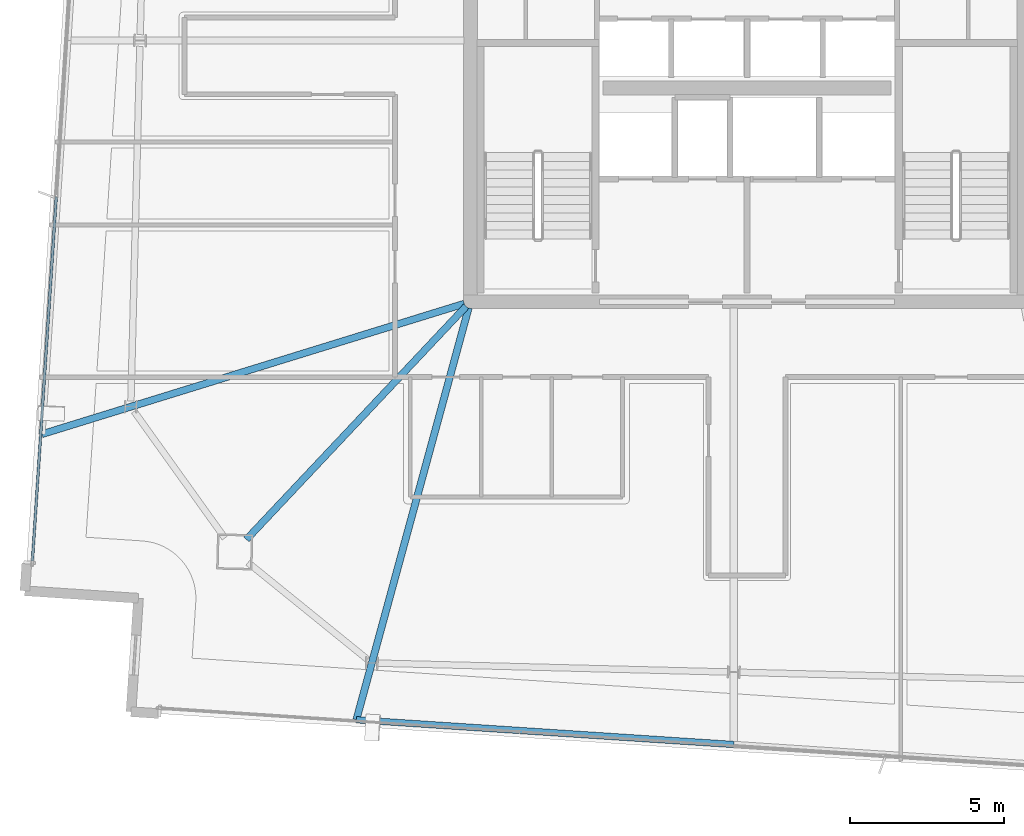
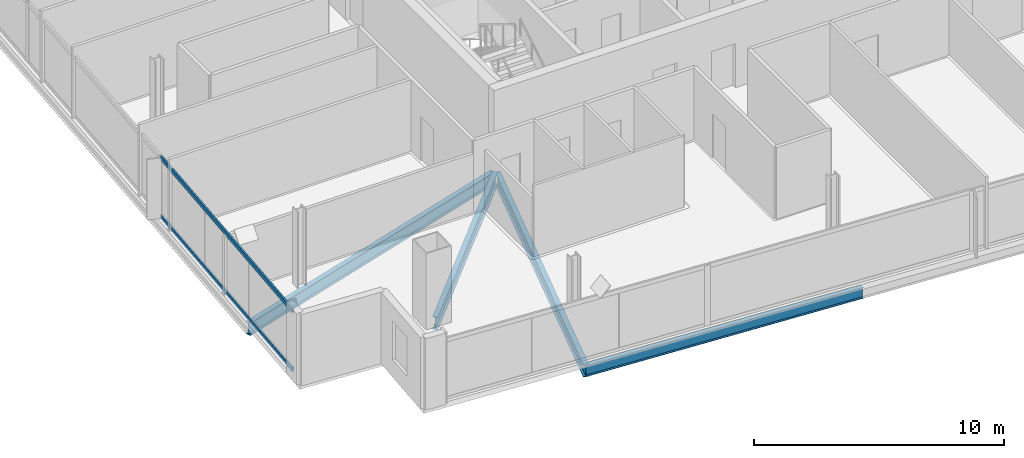
# One storey, part 3 of 24: 4 beams, 2 members, 1 element without a shape of its own.
"""IFC4 building model written with IfcOpenShell, lengths in metres."""

from ifc_helpers import new_model, si_unit, direction, frame, origin, origin_2d, place, context, subcontext, project, spatial, hollow_rectangle, i_section, extrude, material, material_profile, profile_set, type_object, element, aggregate, save


model = new_model("IFC4")

# Units and contexts
model_context = context("Model", 3, precision=1e-05, world=origin(), true_north=direction((0.0, 1.0)))
body_context = subcontext(model_context, "Body", "Model", "MODEL_VIEW")
ifc_project = project(units=[si_unit("LENGTHUNIT", "METRE"), si_unit("AREAUNIT", "SQUARE_METRE"), si_unit("VOLUMEUNIT", "CUBIC_METRE"), si_unit("PLANEANGLEUNIT", "RADIAN"), si_unit("MASSUNIT", "GRAM", prefix="KILO")], contexts=[model_context])

# Site, building, storey
site_placement = place(None, origin())
site = spatial("IfcSite", under=ifc_project, at=site_placement, CompositionType="ELEMENT")
building_placement = place(site_placement, origin())
building = spatial("IfcBuilding", under=site, at=building_placement, Name="Haldenkirk Collegiate Tower", CompositionType="ELEMENT")
storey_placement = place(building_placement, frame((0.0, 0.0, 317.699951171875)))
storey = spatial("IfcBuildingStorey", under=building, at=storey_placement, Name="L80", CompositionType="ELEMENT", Elevation=317.699951171875)

# Beams
ifc_material_1 = material(Name="Steel ASTM A992 Grade 50", Category="steel")
ifc_material_profile_1 = material_profile(ifc_material_1, i_section(OverallWidth=0.22998046875, OverallDepth=0.616943359375, WebThickness=0.01318359375, FlangeThickness=0.022216796875, at=origin_2d()), Name="W24X94")
ifc_profile_set_1 = profile_set([ifc_material_profile_1], Name="Steel ASTM A992 Grade 50")
beam_type_1 = type_object("IfcBeamType", Name="BM-GIRDER-W24X94", PredefinedType="BEAM", material=ifc_profile_set_1)
beam_1_placement = place(storey_placement, frame((19.717041015625, 10.2705078125, -0.568359375), z_axis=(0.685767478835, 0.72782069562, 0.0), x_axis=(-0.72782069562, 0.685767478835, 0.0)))
element("IfcBeam", 1, at=beam_1_placement, inside=storey, type_object=beam_type_1, Name="L80 primary floor girder 04", PredefinedType="BEAM", context=body_context, shape_type="SweptSolid", body=[
    extrude(i_section(OverallWidth=0.22998046875, OverallDepth=0.616943359375, WebThickness=0.01318359375, FlangeThickness=0.022216796875, at=origin_2d()), origin(), (0.0, 0.0, 1.0), 10.4150390625),
])
beam_2_placement = place(storey_placement, frame((13.066162109375, 13.695068359375, -0.568359375), z_axis=(0.955440260182, 0.295184534187, 0.0), x_axis=(-0.295184534187, 0.955440260182, 0.0)))
element("IfcBeam", 2, at=beam_2_placement, inside=storey, type_object=beam_type_1, Name="L80 primary floor girder 13", PredefinedType="BEAM", context=body_context, shape_type="SweptSolid", body=[
    extrude(i_section(OverallWidth=0.22998046875, OverallDepth=0.616943359375, WebThickness=0.01318359375, FlangeThickness=0.022216796875, at=origin_2d()), origin(), (0.0, 0.0, 1.0), 14.378662109375),
])
beam_3_placement = place(storey_placement, frame((23.29248046875, 4.40478515625, -0.568359375), z_axis=(0.263098066757, 0.964769095312, 0.0), x_axis=(-0.964769095312, 0.263098066757, 0.0)))
element("IfcBeam", 3, at=beam_3_placement, inside=storey, type_object=beam_type_1, Name="L80 primary floor girder 14", PredefinedType="BEAM", context=body_context, shape_type="SweptSolid", body=[
    extrude(i_section(OverallWidth=0.22998046875, OverallDepth=0.616943359375, WebThickness=0.01318359375, FlangeThickness=0.022216796875, at=origin_2d()), origin(), (0.0, 0.0, 1.0), 13.88671875),
])
ifc_material_profile_2 = material_profile(ifc_material_1, i_section(OverallWidth=0.2099609375, OverallDepth=0.537109375, WebThickness=0.010986328125, FlangeThickness=0.017333984375, at=origin_2d()), Name="W21X68")
ifc_profile_set_2 = profile_set([ifc_material_profile_2], Name="Steel ASTM A992 Grade 50")
beam_type_2 = type_object("IfcBeamType", Name="BM-SPANDREL-W21X68", PredefinedType="SPANDREL", material=ifc_profile_set_2)
beam_4_placement = place(storey_placement, frame((23.29248046875, 4.40478515625, -0.528564453125), z_axis=(0.997859518706, -0.06539404352, 0.0), x_axis=(0.06539404352, 0.997859518706, 0.0)))
element("IfcBeam", 4, at=beam_4_placement, inside=storey, type_object=beam_type_2, Name="L80 outer facade edge beam 4A", PredefinedType="SPANDREL", context=body_context, shape_type="SweptSolid", body=[
    extrude(i_section(OverallWidth=0.2099609375, OverallDepth=0.537109375, WebThickness=0.010986328125, FlangeThickness=0.017333984375, at=origin_2d()), origin(), (0.0, 0.0, 1.0), 12.301513671875),
])

# Curtain wall, members
ifc_material_2 = material(Name="Anodised architectural bronze aluminium", Category="aluminium")
curtain_wall_type = type_object("IfcCurtainWallType", Name="CW-SYS1B-CONVEX-HI", PredefinedType="USERDEFINED", material=ifc_material_2)
curtain_wall_placement = place(storey_placement, origin())
curtain_wall = element("IfcCurtainWall", 5, at=curtain_wall_placement, inside=storey, type_object=curtain_wall_type, Name="L80 Upper tower high-wind convex bronze unitised curtain wall", ObjectType="UNITISED CURTAIN WALL", PredefinedType="USERDEFINED")
ifc_material_profile_3 = material_profile(ifc_material_2, hollow_rectangle(XDim=0.0849609375, YDim=0.199951171875, WallThickness=0.0048828125, at=origin_2d()), Name="CW-TRN-1B")
ifc_profile_set_3 = profile_set([ifc_material_profile_3], Name="Anodised architectural bronze aluminium")
member_type = type_object("IfcMemberType", Name="CW-TRN-1B", PredefinedType="USERDEFINED", material=ifc_profile_set_3)
member_1_placement = place(storey_placement, frame((12.755615234375, 9.570068359375, 0.04248046875), z_axis=(0.065412095891, 0.997858335492, 0.0), x_axis=(-0.997858335492, 0.065412095891, 0.0)))
member_1 = element("IfcMember", 6, at=member_1_placement, type_object=member_type, Name="CW-1B transom 1.1", ObjectType="TRANSOM", PredefinedType="USERDEFINED", context=body_context, shape_type="SweptSolid", body=[
    extrude(hollow_rectangle(XDim=0.0849609375, YDim=0.199951171875, WallThickness=0.0048828125, at=origin_2d()), origin(), (0.0, 0.0, 1.0), 11.87255859375),
])
member_2_placement = place(storey_placement, frame((12.755615234375, 9.570068359375, 2.905517578125), z_axis=(0.065412095891, 0.997858335492, 0.0), x_axis=(-0.997858335492, 0.065412095891, 0.0)))
member_2 = element("IfcMember", 7, at=member_2_placement, type_object=member_type, Name="CW-1B transom 1.2", ObjectType="TRANSOM", PredefinedType="USERDEFINED", context=body_context, shape_type="SweptSolid", body=[
    extrude(hollow_rectangle(XDim=0.0849609375, YDim=0.199951171875, WallThickness=0.0048828125, at=origin_2d()), origin(), (0.0, 0.0, 1.0), 11.87255859375),
])
aggregate(curtain_wall, [member_1, member_2])

save(model, "model.ifc")
